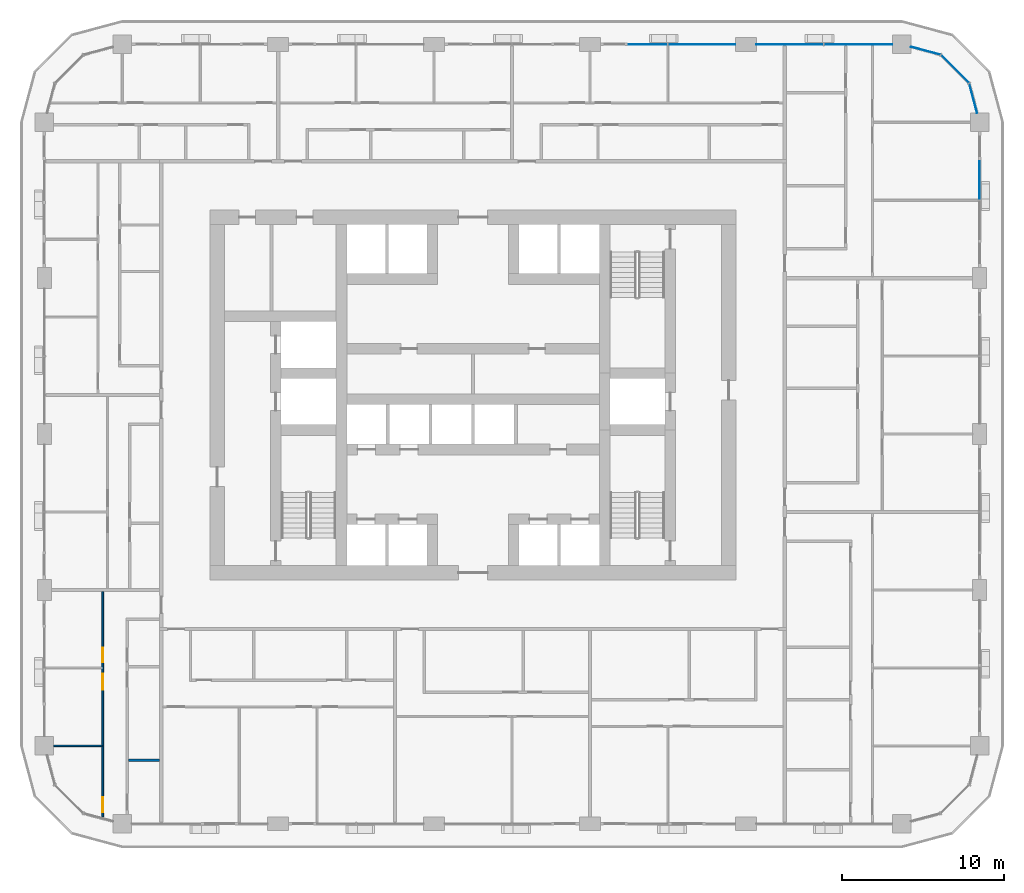
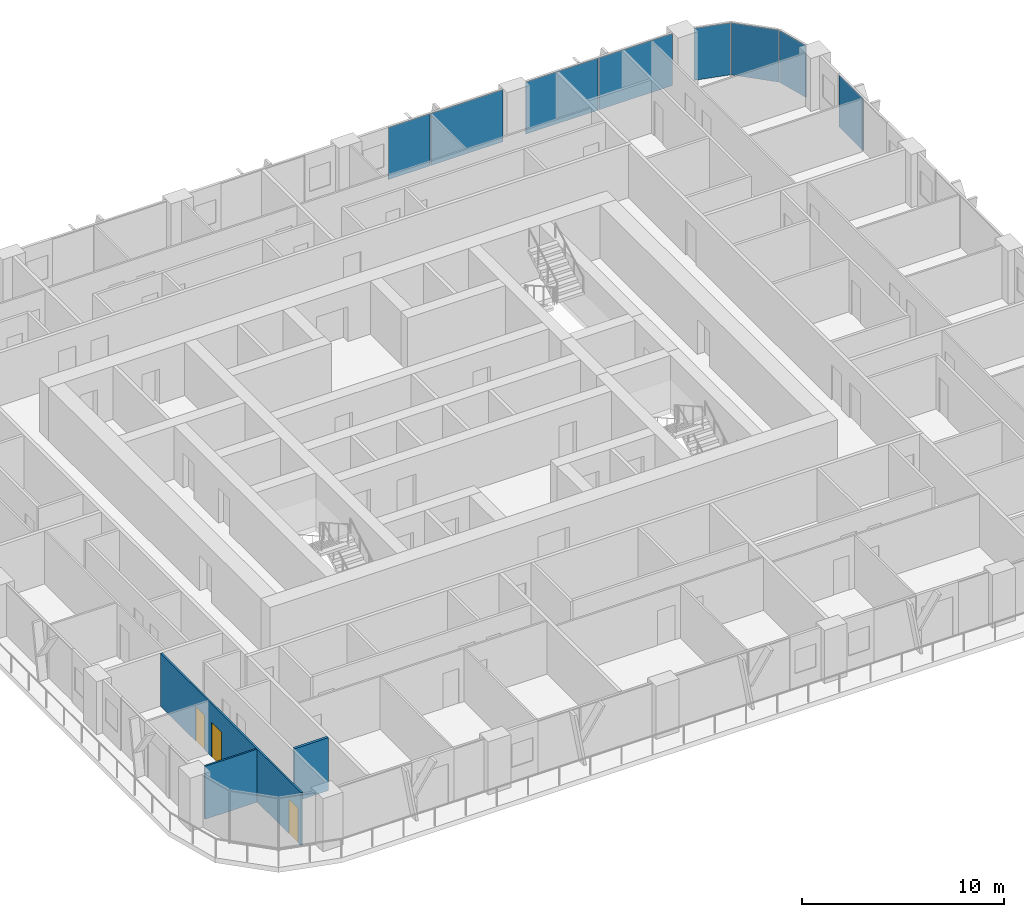
# One storey, part 8 of 22: 8 plates, 3 doors, 3 walls, 3 openings, 4 elements without a shape of their own.
"""IFC4 building model written with IfcOpenShell, lengths in metres."""

from ifc_helpers import new_model, si_unit, direction, frame, frame_2d, origin, origin_2d, place, context, subcontext, project, spatial, rectangle, extrude, material, layer, layer_set, type_object, element, fill, aggregate, save


model = new_model("IFC4")

# Units and contexts
model_context = context("Model", 3, precision=1e-05, world=origin(), true_north=direction((0.0, 1.0)))
body_context = subcontext(model_context, "Body", "Model", "MODEL_VIEW")
ifc_project = project(units=[si_unit("LENGTHUNIT", "METRE"), si_unit("AREAUNIT", "SQUARE_METRE"), si_unit("VOLUMEUNIT", "CUBIC_METRE"), si_unit("PLANEANGLEUNIT", "RADIAN"), si_unit("MASSUNIT", "GRAM", prefix="KILO")], contexts=[model_context])

# Site, building, storey
site_placement = place(None, origin())
site = spatial("IfcSite", under=ifc_project, at=site_placement, CompositionType="ELEMENT")
building_placement = place(site_placement, origin())
building = spatial("IfcBuilding", under=site, at=building_placement, Name="Madar Terraces", CompositionType="ELEMENT")
storey_placement = place(building_placement, frame((0.0, 0.0, 73.300048828125)))
storey = spatial("IfcBuildingStorey", under=building, at=storey_placement, Name="L18", CompositionType="ELEMENT", Elevation=73.300048828125)

# Curtain wall, plate
ifc_material_1 = material(Name="Glass, ceramic frit dark grey, with black aluminium frame", Category="aluminium")
ifc_layer_1 = layer(ifc_material_1, 0.199951171875)
ifc_layer_set_1 = layer_set([ifc_layer_1], Name="Facade curtain wall, fritted glass")
curtain_wall_type = type_object("IfcCurtainWallType", Name="Facade curtain wall, fritted glass", PredefinedType="NOTDEFINED", material=ifc_layer_set_1)
curtain_wall_1_placement = place(storey_placement, origin())
curtain_wall_1 = element("IfcCurtainWall", 1, at=curtain_wall_1_placement, inside=storey, type_object=curtain_wall_type, Name="Outer skin curtain wall east bay 4", PredefinedType="NOTDEFINED")
ifc_material_2 = material(Name="Glass, ceramic frit dark grey", Category="glass")
ifc_layer_2 = layer(ifc_material_2, 0.028076171875)
ifc_layer_set_2 = layer_set([ifc_layer_2], Name="Facade glass panel 28")
plate_type = type_object("IfcPlateType", Name="Facade glass panel 28", PredefinedType="CURTAIN_PANEL", material=ifc_layer_set_2)
plate_1_placement = place(storey_placement, frame((62.39990234375, 39.614990234375, 0.0), z_axis=(0.0, 0.0, 1.0), x_axis=(0.0, 1.0, 0.0)))
plate_1 = element("IfcPlate", 2, at=plate_1_placement, type_object=plate_type, Name="Panel 2", PredefinedType="CURTAIN_PANEL", context=body_context, shape_type="SweptSolid", body=[
    extrude(rectangle(XDim=2.3701171875, YDim=0.028076171875, at=origin_2d()), origin(), (0.0, 0.0, 1.0), 3.139892578125),
])
aggregate(curtain_wall_1, [plate_1])

# Curtain wall, plates
curtain_wall_2_placement = place(storey_placement, origin())
curtain_wall_2 = element("IfcCurtainWall", 3, at=curtain_wall_2_placement, inside=storey, type_object=curtain_wall_type, Name="Outer skin curtain wall north bay 1", PredefinedType="NOTDEFINED")
plate_2_placement = place(storey_placement, frame((54.927490234375, 48.0, 0.0), z_axis=(0.0, 0.0, 1.0), x_axis=(-1.0, 0.0, 0.0)))
plate_2 = element("IfcPlate", 4, at=plate_2_placement, type_object=plate_type, Name="Panel 1", PredefinedType="CURTAIN_PANEL", context=body_context, shape_type="SweptSolid", body=[
    extrude(rectangle(XDim=4.195068359375, YDim=0.028076171875, at=origin_2d()), origin(), (0.0, 0.0, 1.0), 3.139892578125),
])
plate_3_placement = place(storey_placement, frame((50.7099609375, 48.0, 0.0), z_axis=(0.0, 0.0, 1.0), x_axis=(-1.0, 0.0, 0.0)))
plate_3 = element("IfcPlate", 5, at=plate_3_placement, type_object=plate_type, Name="Panel 2", PredefinedType="CURTAIN_PANEL", context=body_context, shape_type="SweptSolid", body=[
    extrude(rectangle(XDim=4.1201171875, YDim=0.028076171875, at=origin_2d()), origin(), (0.0, 0.0, 1.0), 3.139892578125),
])
aggregate(curtain_wall_2, [plate_2, plate_3])

curtain_wall_3_placement = place(storey_placement, origin())
curtain_wall_3 = element("IfcCurtainWall", 6, at=curtain_wall_3_placement, inside=storey, type_object=curtain_wall_type, Name="Outer skin curtain wall north bay 2", PredefinedType="NOTDEFINED")
plate_4_placement = place(storey_placement, frame((45.2900390625, 48.0, 0.0), z_axis=(0.0, 0.0, 1.0), x_axis=(-1.0, 0.0, 0.0)))
plate_4 = element("IfcPlate", 7, at=plate_4_placement, type_object=plate_type, Name="Panel 1", PredefinedType="CURTAIN_PANEL", context=body_context, shape_type="SweptSolid", body=[
    extrude(rectangle(XDim=4.1201171875, YDim=0.028076171875, at=origin_2d()), origin(), (0.0, 0.0, 1.0), 3.139892578125),
])
plate_5_placement = place(storey_placement, frame((41.985107421875, 48.0, 0.0), z_axis=(0.0, 0.0, 1.0), x_axis=(-1.0, 0.0, 0.0)))
plate_5 = element("IfcPlate", 8, at=plate_5_placement, type_object=plate_type, Name="Panel 2", PredefinedType="CURTAIN_PANEL", context=body_context, shape_type="SweptSolid", body=[
    extrude(rectangle(XDim=2.3701171875, YDim=0.028076171875, at=origin_2d()), origin(), (0.0, 0.0, 1.0), 3.139892578125),
])
aggregate(curtain_wall_3, [plate_4, plate_5])

curtain_wall_4_placement = place(storey_placement, origin())
curtain_wall_4 = element("IfcCurtainWall", 9, at=curtain_wall_4_placement, inside=storey, type_object=curtain_wall_type, Name="Outer skin curtain wall north-east corner", PredefinedType="NOTDEFINED")
plate_6_placement = place(storey_placement, frame((62.00537109375, 44.673095703125, 0.0), z_axis=(0.0, 0.0, 1.0), x_axis=(-0.258819021888, 0.965925832509, 0.0)))
plate_6 = element("IfcPlate", 10, at=plate_6_placement, type_object=plate_type, Name="Panel 1", PredefinedType="CURTAIN_PANEL", context=body_context, shape_type="SweptSolid", body=[
    extrude(rectangle(XDim=1.859375, YDim=0.028076171875, at=origin_2d()), origin(), (0.0, 0.0, 1.0), 3.139892578125),
])
plate_7_placement = place(storey_placement, frame((60.87841796875, 46.478515625, 0.0), z_axis=(0.0, 0.0, 1.0), x_axis=(-0.707106781187, 0.707106781187, 0.0)))
plate_7 = element("IfcPlate", 11, at=plate_7_placement, type_object=plate_type, Name="Panel 2", PredefinedType="CURTAIN_PANEL", context=body_context, shape_type="SweptSolid", body=[
    extrude(rectangle(XDim=2.424560546875, YDim=0.028076171875, at=origin_2d()), origin(), (0.0, 0.0, 1.0), 3.139892578125),
])
plate_8_placement = place(storey_placement, frame((59.072998046875, 47.605224609375, 0.0), z_axis=(0.0, 0.0, 1.0), x_axis=(-0.965925832509, 0.258819021888, 0.0)))
plate_8 = element("IfcPlate", 12, at=plate_8_placement, type_object=plate_type, Name="Panel 3", PredefinedType="CURTAIN_PANEL", context=body_context, shape_type="SweptSolid", body=[
    extrude(rectangle(XDim=1.859375, YDim=0.028076171875, at=origin_2d()), origin(), (0.0, 0.0, 1.0), 3.139892578125),
])
aggregate(curtain_wall_4, [plate_6, plate_7, plate_8])

# Wall
ifc_material_3 = material(Name="Gypsum board on steel studs", Category="steel")
ifc_layer_3 = layer(ifc_material_3, 0.10009765625)
ifc_layer_set_3 = layer_set([ifc_layer_3], Name="Flat partition 100")
wall_type_1 = type_object("IfcWallType", Name="Flat partition 100", PredefinedType="PARTITIONING", material=ifc_layer_set_3)
wall_1_placement = place(storey_placement, frame((8.35009765625, 4.800048828125, 0.0), z_axis=(0.0, 0.0, 1.0), x_axis=(-1.0, 0.0, 0.0)))
element("IfcWall", 13, at=wall_1_placement, inside=storey, type_object=wall_type_1, Name="Flat partition 100", PredefinedType="PARTITIONING", context=body_context, shape_type="SweptSolid", body=[
    extrude(rectangle(XDim=2.97509765625, YDim=0.10009765625, at=frame_2d((1.487548828125, 0.0))), origin(), (0.0, 0.0, 1.0), 3.199951171875),
])

# Wall, openings, doors
wall_2_placement = place(storey_placement, frame((8.39990234375, 0.42138671875, 0.0), z_axis=(0.0, 0.0, 1.0), x_axis=(0.0, 1.0, 0.0)))
wall_2 = element("IfcWall", 14, at=wall_2_placement, inside=storey, type_object=wall_type_1, Name="Flat partition 100", PredefinedType="PARTITIONING", context=body_context, shape_type="SweptSolid", body=[
    extrude(rectangle(XDim=13.878662109375, YDim=0.10009765625, at=frame_2d((6.939453125, 0.0))), origin(), (0.0, 0.0, 1.0), 3.199951171875),
])
opening_1_placement = place(wall_2_placement, frame((9.528564453125, 0.0, 0.0)))
opening_1 = element("IfcOpeningElement", 15, at=opening_1_placement, cuts=wall_2, Name="Opening D2", PredefinedType="OPENING", context=body_context, shape_type="SweptSolid", body=[
    extrude(rectangle(XDim=0.89990234375, YDim=2.10009765625, at=frame_2d((0.449951171875, 1.050048828125))), frame((0.0, 0.06005859375, 0.0), z_axis=(0.0, -1.0, 0.0), x_axis=(1.0, 0.0, 0.0)), (0.0, 0.0, 1.0), 0.1201171875),
])
opening_2_placement = place(wall_2_placement, frame((7.82861328125, 0.0, 0.0)))
opening_2 = element("IfcOpeningElement", 16, at=opening_2_placement, cuts=wall_2, Name="Opening D3", PredefinedType="OPENING", context=body_context, shape_type="SweptSolid", body=[
    extrude(rectangle(XDim=1.0, YDim=2.10009765625, at=frame_2d((0.5, 1.050048828125))), frame((0.0, 0.06005859375, 0.0), z_axis=(0.0, -1.0, 0.0), x_axis=(1.0, 0.0, 0.0)), (0.0, 0.0, 1.0), 0.1201171875),
])
opening_3_placement = place(wall_2_placement, frame((0.300048828125, 0.0, 0.0)))
opening_3 = element("IfcOpeningElement", 17, at=opening_3_placement, cuts=wall_2, Name="Opening D2", PredefinedType="OPENING", context=body_context, shape_type="SweptSolid", body=[
    extrude(rectangle(XDim=0.89990234375, YDim=2.10009765625, at=frame_2d((0.449951171875, 1.050048828125))), frame((0.0, 0.06005859375, 0.0), z_axis=(0.0, -1.0, 0.0), x_axis=(1.0, 0.0, 0.0)), (0.0, 0.0, 1.0), 0.1201171875),
])
ifc_material_4 = material(Name="Timber door leaf", Category="wood")
door_type_1 = type_object("IfcDoorType", Name="Flat living room door 1000", OperationType="NOTDEFINED", PredefinedType="DOOR", material=ifc_material_4)
door_1_placement = place(opening_2_placement, origin())
door_1 = element("IfcDoor", 18, at=door_1_placement, inside=storey, type_object=door_type_1, Name="Flat living room door 1000", OperationType="SINGLE_SWING_RIGHT", OverallHeight=2.10009765625, OverallWidth=1.0, PredefinedType="DOOR", context=body_context, shape_type="SweptSolid", body=[
    extrude(rectangle(XDim=1.0, YDim=2.10009765625, at=frame_2d((0.5, 1.050048828125))), frame((0.0, 0.02490234375, 0.0), z_axis=(0.0, -1.0, 0.0), x_axis=(1.0, 0.0, 0.0)), (0.0, 0.0, 1.0), 0.050048828125),
])
fill(opening_2, door_1)
ifc_material_5 = material(Name="Timber door leaf", Category="wood")
door_type_2 = type_object("IfcDoorType", Name="Flat room door 900", OperationType="NOTDEFINED", PredefinedType="DOOR", material=ifc_material_5)
door_2_placement = place(opening_1_placement, origin())
door_2 = element("IfcDoor", 19, at=door_2_placement, inside=storey, type_object=door_type_2, Name="Flat room door 900", OperationType="SINGLE_SWING_LEFT", OverallHeight=2.10009765625, OverallWidth=0.89990234375, PredefinedType="DOOR", context=body_context, shape_type="SweptSolid", body=[
    extrude(rectangle(XDim=0.89990234375, YDim=2.10009765625, at=frame_2d((0.449951171875, 1.050048828125))), frame((0.0, 0.02490234375, 0.0), z_axis=(0.0, -1.0, 0.0), x_axis=(1.0, 0.0, 0.0)), (0.0, 0.0, 1.0), 0.050048828125),
])
fill(opening_1, door_2)
door_3_placement = place(opening_3_placement, origin())
door_3 = element("IfcDoor", 20, at=door_3_placement, inside=storey, type_object=door_type_2, Name="Flat room door 900", OperationType="SINGLE_SWING_LEFT", OverallHeight=2.10009765625, OverallWidth=0.89990234375, PredefinedType="DOOR", context=body_context, shape_type="SweptSolid", body=[
    extrude(rectangle(XDim=0.89990234375, YDim=2.10009765625, at=frame_2d((0.449951171875, 1.050048828125))), frame((0.0, 0.02490234375, 0.0), z_axis=(0.0, -1.0, 0.0), x_axis=(1.0, 0.0, 0.0)), (0.0, 0.0, 1.0), 0.050048828125),
])
fill(opening_3, door_3)

# Wall
ifc_material_6 = material(Name="Lightweight blockwork", Category="masonry")
ifc_layer_4 = layer(ifc_material_6, 0.14990234375)
ifc_layer_set_4 = layer_set([ifc_layer_4], Name="Flat wet-room partition 150")
wall_type_2 = type_object("IfcWallType", Name="Flat wet-room partition 150", PredefinedType="PARTITIONING", material=ifc_layer_set_4)
wall_3_placement = place(storey_placement, frame((11.89990234375, 3.923095703125, 0.0), z_axis=(0.0, 0.0, 1.0), x_axis=(-1.0, 0.0, 0.0)))
element("IfcWall", 21, at=wall_3_placement, inside=storey, type_object=wall_type_2, Name="Flat wet-room partition 150", PredefinedType="PARTITIONING", context=body_context, shape_type="SweptSolid", body=[
    extrude(rectangle(XDim=1.9248046875, YDim=0.14990234375, at=frame_2d((0.96240234375, 0.0))), origin(), (0.0, 0.0, 1.0), 3.199951171875),
])

save(model, "model.ifc")
